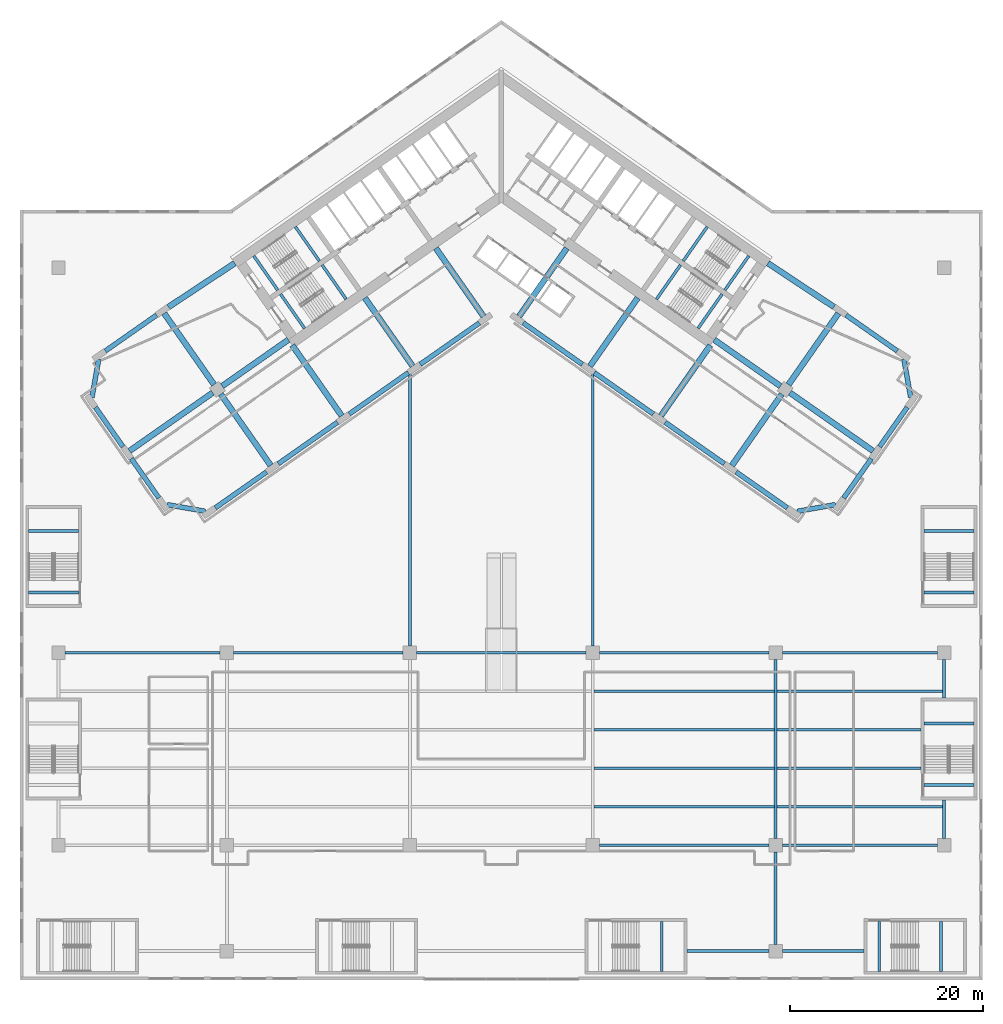
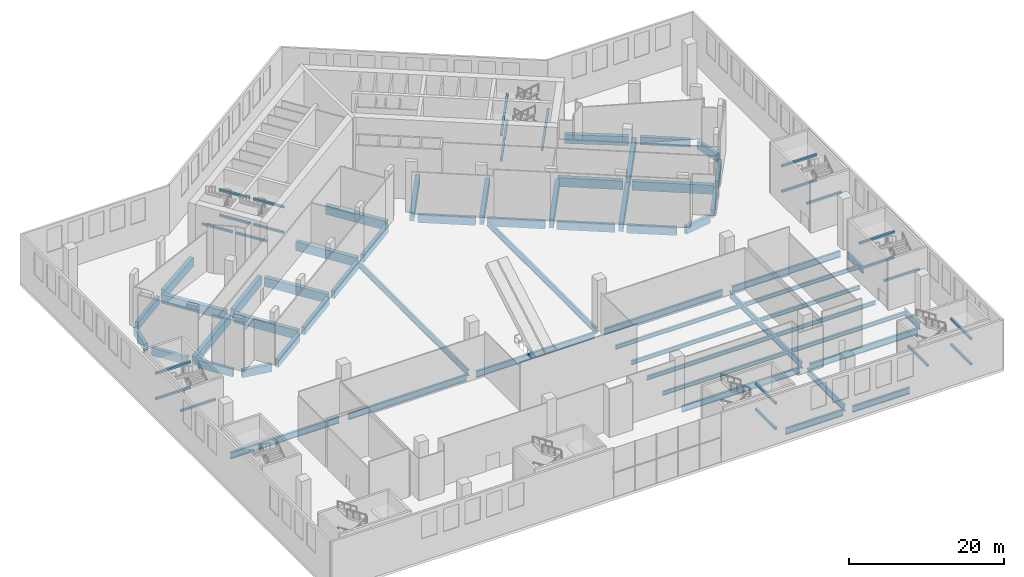
# One storey, part 3 of 27: 83 beams.
"""IFC4 building model written with IfcOpenShell, lengths in metres."""

from ifc_helpers import new_model, si_unit, direction, frame, origin, origin_2d, place, context, subcontext, project, spatial, rectangle, i_section, extrude, material, material_profile, profile_set, type_object, element, save


model = new_model("IFC4")

# Units and contexts
model_context = context("Model", 3, precision=1e-05, world=origin(), true_north=direction((0.0, 1.0)))
body_context = subcontext(model_context, "Body", "Model", "MODEL_VIEW")
ifc_project = project(units=[si_unit("LENGTHUNIT", "METRE"), si_unit("AREAUNIT", "SQUARE_METRE"), si_unit("VOLUMEUNIT", "CUBIC_METRE"), si_unit("PLANEANGLEUNIT", "RADIAN"), si_unit("MASSUNIT", "GRAM", prefix="KILO")], contexts=[model_context])

# Site, building, storey
site_placement = place(None, origin())
site = spatial("IfcSite", under=ifc_project, at=site_placement, CompositionType="ELEMENT")
building_placement = place(site_placement, origin())
building = spatial("IfcBuilding", under=site, at=building_placement, Name="Tel Ilan Convention Tower", CompositionType="ELEMENT")
storey_placement = place(building_placement, frame((0.0, 0.0, 18.0)))
storey = spatial("IfcBuildingStorey", under=building, at=storey_placement, Name="L02", CompositionType="ELEMENT", Elevation=18.0)

# Beams
ifc_material_1 = material(Name="Concrete C40/50", Category="concrete")
ifc_material_profile_1 = material_profile(ifc_material_1, rectangle(XDim=0.5, YDim=1.199951171875, at=origin_2d()), Name="RC 500x1200")
ifc_profile_set_1 = profile_set([ifc_material_profile_1], Name="Concrete C40/50")
beam_type_1 = type_object("IfcBeamType", Name="Beam RC 500x1200 Concrete C40/50", PredefinedType="BEAM", material=ifc_profile_set_1)
beam_1_placement = place(storey_placement, frame((-2.279541015625, -13.742919921875, -1.0), z_axis=(-0.819147803225, -0.57358249317, 0.0), x_axis=(0.57358249317, -0.819147803225, 0.0)))
element("IfcBeam", 1, at=beam_1_placement, inside=storey, type_object=beam_type_1, Name="L02 beam W-W-F1-W-F2", PredefinedType="BEAM", context=body_context, shape_type="SweptSolid", body=[
    extrude(rectangle(XDim=0.5, YDim=1.199951171875, at=origin_2d()), origin(), (0.0, 0.0, 1.0), 7.500244140625),
])
for number, where, z_axis, x_axis, name in (
    (2, (-9.652099609375, -18.905029296875, -1.0), (-0.81915238829, -0.573575945067, 0.0), (0.573575945067, -0.81915238829, 0.0), "L02 beam W-W-F2-W-F3"),
    (3, (-17.0244140625, -24.0673828125, -1.0), (-0.81915238829, -0.573575945067, 0.0), (0.573575945067, -0.81915238829, 0.0), "L02 beam W-W-F3-W-F4"),
):
    element("IfcBeam", number, at=place(storey_placement, frame(where, z_axis=z_axis, x_axis=x_axis)), inside=storey, type_object=beam_type_1, Name=name, PredefinedType="BEAM", context=body_context, shape_type="SweptSolid", body=[
        extrude(rectangle(XDim=0.5, YDim=1.199951171875, at=origin_2d()), origin(), (0.0, 0.0, 1.0), 7.5),
    ])
beam_2_placement = place(storey_placement, frame((-24.396728515625, -29.2294921875, -1.0), z_axis=(-0.819148977158, -0.573580816643, 0.0), x_axis=(0.573580816643, -0.819148977158, 0.0)))
element("IfcBeam", 4, at=beam_2_placement, inside=storey, type_object=beam_type_1, Name="L02 beam W-W-F4-W-FC", PredefinedType="BEAM", context=body_context, shape_type="SweptSolid", body=[
    extrude(rectangle(XDim=0.5, YDim=1.199951171875, at=origin_2d()), origin(), (0.0, 0.0, 1.0), 6.5),
])
beam_3_placement = place(storey_placement, frame((-30.75341796875, -33.314208984375, -1.0), z_axis=(-0.984815252405, 0.173605641124, 0.0), x_axis=(-0.173605641124, -0.984815252405, 0.0)))
element("IfcBeam", 5, at=beam_3_placement, inside=storey, type_object=beam_type_1, Name="L02 beam W-W-FC-W-E1", PredefinedType="BEAM", context=body_context, shape_type="SweptSolid", body=[
    extrude(rectangle(XDim=0.5, YDim=1.199951171875, at=origin_2d()), origin(), (0.0, 0.0, 1.0), 4.030517578125),
])
for number, where, z_axis, x_axis, name in (
    (6, (-35.57080078125, -31.92626953125, -1.0), (-0.573586866468, 0.819144740944, 0.0), (-0.819144740944, -0.573586866468, 0.0), "L02 beam W-W-E1-W-E2"),
    (7, (-39.298828125, -26.601806640625, -1.0), (-0.573586866468, 0.819144740944, 0.0), (-0.819144740944, -0.573586866468, 0.0), "L02 beam W-W-E2-W-E3"),
):
    element("IfcBeam", number, at=place(storey_placement, frame(where, z_axis=z_axis, x_axis=x_axis)), inside=storey, type_object=beam_type_1, Name=name, PredefinedType="BEAM", context=body_context, shape_type="SweptSolid", body=[
        extrude(rectangle(XDim=0.5, YDim=1.199951171875, at=origin_2d()), origin(), (0.0, 0.0, 1.0), 5.0),
    ])
beam_4_placement = place(storey_placement, frame((-42.523193359375, -21.473876953125, -1.0), z_axis=(0.173605641124, 0.984815252405, 0.0), x_axis=(-0.984815252405, 0.173605641124, 0.0)))
element("IfcBeam", 8, at=beam_4_placement, inside=storey, type_object=beam_type_1, Name="L02 beam W-W-E3-W-BC", PredefinedType="BEAM", context=body_context, shape_type="SweptSolid", body=[
    extrude(rectangle(XDim=0.5, YDim=1.199951171875, at=origin_2d()), origin(), (0.0, 0.0, 1.0), 4.030517578125),
])
beam_5_placement = place(storey_placement, frame((-41.135498046875, -16.656494140625, -1.0), z_axis=(0.819178980414, 0.573537965655, 0.0), x_axis=(-0.573537965655, 0.819178980414, 0.0)))
element("IfcBeam", 9, at=beam_5_placement, inside=storey, type_object=beam_type_1, Name="L02 beam W-W-BC-W-B4", PredefinedType="BEAM", context=body_context, shape_type="SweptSolid", body=[
    extrude(rectangle(XDim=0.5, YDim=1.199951171875, at=origin_2d()), origin(), (0.0, 0.0, 1.0), 6.5),
])
beam_6_placement = place(storey_placement, frame((2.279541015625, -13.742919921875, -1.0), z_axis=(0.819147803225, -0.57358249317, 0.0), x_axis=(0.57358249317, 0.819147803225, 0.0)))
element("IfcBeam", 10, at=beam_6_placement, inside=storey, type_object=beam_type_1, Name="L02 beam E-E-F1-E-F2", PredefinedType="BEAM", context=body_context, shape_type="SweptSolid", body=[
    extrude(rectangle(XDim=0.5, YDim=1.199951171875, at=origin_2d()), origin(), (0.0, 0.0, 1.0), 7.500244140625),
])
for number, where, z_axis, x_axis, name in (
    (11, (9.652099609375, -18.905029296875, -1.0), (0.81915238829, -0.573575945067, 0.0), (0.573575945067, 0.81915238829, 0.0), "L02 beam E-E-F2-E-F3"),
    (12, (17.0244140625, -24.0673828125, -1.0), (0.81915238829, -0.573575945067, 0.0), (0.573575945067, 0.81915238829, 0.0), "L02 beam E-E-F3-E-F4"),
):
    element("IfcBeam", number, at=place(storey_placement, frame(where, z_axis=z_axis, x_axis=x_axis)), inside=storey, type_object=beam_type_1, Name=name, PredefinedType="BEAM", context=body_context, shape_type="SweptSolid", body=[
        extrude(rectangle(XDim=0.5, YDim=1.199951171875, at=origin_2d()), origin(), (0.0, 0.0, 1.0), 7.5),
    ])
beam_7_placement = place(storey_placement, frame((24.396728515625, -29.2294921875, -1.0), z_axis=(0.819148977158, -0.573580816643, 0.0), x_axis=(0.573580816643, 0.819148977158, 0.0)))
element("IfcBeam", 13, at=beam_7_placement, inside=storey, type_object=beam_type_1, Name="L02 beam E-E-F4-E-FC", PredefinedType="BEAM", context=body_context, shape_type="SweptSolid", body=[
    extrude(rectangle(XDim=0.5, YDim=1.199951171875, at=origin_2d()), origin(), (0.0, 0.0, 1.0), 6.5),
])
beam_8_placement = place(storey_placement, frame((30.75341796875, -33.314208984375, -1.0), z_axis=(0.984815252405, 0.173605641124, 0.0), x_axis=(-0.173605641124, 0.984815252405, 0.0)))
element("IfcBeam", 14, at=beam_8_placement, inside=storey, type_object=beam_type_1, Name="L02 beam E-E-FC-E-E1", PredefinedType="BEAM", context=body_context, shape_type="SweptSolid", body=[
    extrude(rectangle(XDim=0.5, YDim=1.199951171875, at=origin_2d()), origin(), (0.0, 0.0, 1.0), 4.030517578125),
])
for number, where, z_axis, x_axis, name in (
    (15, (35.57080078125, -31.92626953125, -1.0), (0.573586866468, 0.819144740944, 0.0), (-0.819144740944, 0.573586866468, 0.0), "L02 beam E-E-E1-E-E2"),
    (16, (39.298828125, -26.601806640625, -1.0), (0.573586866468, 0.819144740944, 0.0), (-0.819144740944, 0.573586866468, 0.0), "L02 beam E-E-E2-E-E3"),
):
    element("IfcBeam", number, at=place(storey_placement, frame(where, z_axis=z_axis, x_axis=x_axis)), inside=storey, type_object=beam_type_1, Name=name, PredefinedType="BEAM", context=body_context, shape_type="SweptSolid", body=[
        extrude(rectangle(XDim=0.5, YDim=1.199951171875, at=origin_2d()), origin(), (0.0, 0.0, 1.0), 5.0),
    ])
beam_9_placement = place(storey_placement, frame((42.523193359375, -21.473876953125, -1.0), z_axis=(-0.173605641124, 0.984815252405, 0.0), x_axis=(-0.984815252405, -0.173605641124, 0.0)))
element("IfcBeam", 17, at=beam_9_placement, inside=storey, type_object=beam_type_1, Name="L02 beam E-E-E3-E-BC", PredefinedType="BEAM", context=body_context, shape_type="SweptSolid", body=[
    extrude(rectangle(XDim=0.5, YDim=1.199951171875, at=origin_2d()), origin(), (0.0, 0.0, 1.0), 4.030517578125),
])
beam_10_placement = place(storey_placement, frame((41.135498046875, -16.656494140625, -1.0), z_axis=(-0.819178980414, 0.573537965655, 0.0), x_axis=(-0.573537965655, -0.819178980414, 0.0)))
element("IfcBeam", 18, at=beam_10_placement, inside=storey, type_object=beam_type_1, Name="L02 beam E-E-BC-E-B4", PredefinedType="BEAM", context=body_context, shape_type="SweptSolid", body=[
    extrude(rectangle(XDim=0.5, YDim=1.199951171875, at=origin_2d()), origin(), (0.0, 0.0, 1.0), 6.5),
])
ifc_material_2 = material(Name="Concrete C40/50", Category="concrete")
ifc_material_profile_2 = material_profile(ifc_material_2, rectangle(XDim=0.60009765625, YDim=1.39990234375, at=origin_2d()), Name="RC 600x1400")
ifc_profile_set_2 = profile_set([ifc_material_profile_2], Name="Concrete C40/50")
beam_type_2 = type_object("IfcBeamType", Name="Beam RC 600x1400 Concrete C40/50", PredefinedType="BEAM", material=ifc_profile_set_2)
beam_11_placement = place(storey_placement, frame((-34.570556640625, -12.08447265625, -1.10009765625), z_axis=(0.834273603487, 0.551350663847, 0.0), x_axis=(-0.551350663847, 0.834273603487, 0.0)))
element("IfcBeam", 19, at=beam_11_placement, inside=storey, type_object=beam_type_2, Name="L02 beam W-W-B4-core", PredefinedType="BEAM", context=body_context, shape_type="SweptSolid", body=[
    extrude(rectangle(XDim=0.60009765625, YDim=1.39990234375, at=origin_2d()), origin(), (0.0, 0.0, 1.0), 8.2529296875),
])
for number, where, z_axis, x_axis, name in (
    (20, (-1.83740234375, -13.06689453125, -1.10009765625), (-0.573574099654, 0.819153680457, 0.0), (-0.819153680457, -0.573574099654, 0.0), "L02 beam W-W-F1-core"),
    (21, (-9.209716796875, -18.229248046875, -1.10009765625), (-0.573574099654, 0.819153680457, 0.0), (-0.819153680457, -0.573574099654, 0.0), "L02 beam W-W-F2-core"),
):
    element("IfcBeam", number, at=place(storey_placement, frame(where, z_axis=z_axis, x_axis=x_axis)), inside=storey, type_object=beam_type_2, Name=name, PredefinedType="BEAM", context=body_context, shape_type="SweptSolid", body=[
        extrude(rectangle(XDim=0.60009765625, YDim=1.39990234375, at=origin_2d()), origin(), (0.0, 0.0, 1.0), 8.64990234375),
    ])
beam_12_placement = place(storey_placement, frame((-16.58203125, -23.391357421875, -1.10009765625), z_axis=(-0.573584999642, 0.819146048141, 0.0), x_axis=(-0.819146048141, -0.573584999642, 0.0)))
element("IfcBeam", 22, at=beam_12_placement, inside=storey, type_object=beam_type_2, Name="L02 beam W-W-F3-core", PredefinedType="BEAM", context=body_context, shape_type="SweptSolid", body=[
    extrude(rectangle(XDim=0.60009765625, YDim=1.39990234375, at=origin_2d()), origin(), (0.0, 0.0, 1.0), 8.949951171875),
])
beam_13_placement = place(storey_placement, frame((-22.1171875, -15.486572265625, -1.10009765625), z_axis=(-0.819147254605, -0.573583276668, 0.0), x_axis=(0.573583276668, -0.819147254605, 0.0)))
element("IfcBeam", 23, at=beam_13_placement, inside=storey, type_object=beam_type_2, Name="L02 beam W-core-W-M4", PredefinedType="BEAM", context=body_context, shape_type="SweptSolid", body=[
    extrude(rectangle(XDim=0.60009765625, YDim=1.39990234375, at=origin_2d()), origin(), (0.0, 0.0, 1.0), 8.400146484375),
])
beam_14_placement = place(storey_placement, frame((-29.98095703125, -20.992919921875, -1.10009765625), z_axis=(-0.819151461915, -0.573577268067, 0.0), x_axis=(0.573577268067, -0.819151461915, 0.0)))
element("IfcBeam", 24, at=beam_14_placement, inside=storey, type_object=beam_type_2, Name="L02 beam W-W-M4-end", PredefinedType="BEAM", context=body_context, shape_type="SweptSolid", body=[
    extrude(rectangle(XDim=0.60009765625, YDim=1.39990234375, at=origin_2d()), origin(), (0.0, 0.0, 1.0), 10.550048828125),
])
for number, where, z_axis, x_axis, name in (
    (25, (-29.145263671875, -21.14013671875, -1.10009765625), (0.573549245583, -0.819171082798, 0.0), (0.819171082798, 0.573549245583, 0.0), "L02 beam W-W-M4-W-F4"),
    (26, (-29.83349609375, -20.1572265625, -1.10009765625), (-0.57358002233, 0.819149533348, 0.0), (-0.819149533348, -0.57358002233, 0.0), "L02 beam W-W-M4-W-B4"),
):
    element("IfcBeam", number, at=place(storey_placement, frame(where, z_axis=z_axis, x_axis=x_axis)), inside=storey, type_object=beam_type_2, Name=name, PredefinedType="BEAM", context=body_context, shape_type="SweptSolid", body=[
        extrude(rectangle(XDim=0.60009765625, YDim=1.39990234375, at=origin_2d()), origin(), (0.0, 0.0, 1.0), 9.050048828125),
    ])
beam_15_placement = place(storey_placement, frame((34.570556640625, -12.08447265625, -1.10009765625), z_axis=(-0.834273603487, 0.551350663847, 0.0), x_axis=(-0.551350663847, -0.834273603487, 0.0)))
element("IfcBeam", 27, at=beam_15_placement, inside=storey, type_object=beam_type_2, Name="L02 beam E-E-B4-core", PredefinedType="BEAM", context=body_context, shape_type="SweptSolid", body=[
    extrude(rectangle(XDim=0.60009765625, YDim=1.39990234375, at=origin_2d()), origin(), (0.0, 0.0, 1.0), 8.2529296875),
])
for number, where, z_axis, x_axis, name in (
    (28, (1.83740234375, -13.06689453125, -1.10009765625), (0.573574099654, 0.819153680457, 0.0), (-0.819153680457, 0.573574099654, 0.0), "L02 beam E-E-F1-core"),
    (29, (9.209716796875, -18.229248046875, -1.10009765625), (0.573574099654, 0.819153680457, 0.0), (-0.819153680457, 0.573574099654, 0.0), "L02 beam E-E-F2-core"),
):
    element("IfcBeam", number, at=place(storey_placement, frame(where, z_axis=z_axis, x_axis=x_axis)), inside=storey, type_object=beam_type_2, Name=name, PredefinedType="BEAM", context=body_context, shape_type="SweptSolid", body=[
        extrude(rectangle(XDim=0.60009765625, YDim=1.39990234375, at=origin_2d()), origin(), (0.0, 0.0, 1.0), 8.64990234375),
    ])
beam_16_placement = place(storey_placement, frame((16.58203125, -23.391357421875, -1.10009765625), z_axis=(0.573584999642, 0.819146048141, 0.0), x_axis=(-0.819146048141, 0.573584999642, 0.0)))
element("IfcBeam", 30, at=beam_16_placement, inside=storey, type_object=beam_type_2, Name="L02 beam E-E-F3-core", PredefinedType="BEAM", context=body_context, shape_type="SweptSolid", body=[
    extrude(rectangle(XDim=0.60009765625, YDim=1.39990234375, at=origin_2d()), origin(), (0.0, 0.0, 1.0), 8.949951171875),
])
beam_17_placement = place(storey_placement, frame((22.1171875, -15.486572265625, -1.10009765625), z_axis=(0.819147254605, -0.573583276668, 0.0), x_axis=(0.573583276668, 0.819147254605, 0.0)))
element("IfcBeam", 31, at=beam_17_placement, inside=storey, type_object=beam_type_2, Name="L02 beam E-core-E-M4", PredefinedType="BEAM", context=body_context, shape_type="SweptSolid", body=[
    extrude(rectangle(XDim=0.60009765625, YDim=1.39990234375, at=origin_2d()), origin(), (0.0, 0.0, 1.0), 8.400146484375),
])
beam_18_placement = place(storey_placement, frame((29.98095703125, -20.992919921875, -1.10009765625), z_axis=(0.819151461915, -0.573577268067, 0.0), x_axis=(0.573577268067, 0.819151461915, 0.0)))
element("IfcBeam", 32, at=beam_18_placement, inside=storey, type_object=beam_type_2, Name="L02 beam E-E-M4-end", PredefinedType="BEAM", context=body_context, shape_type="SweptSolid", body=[
    extrude(rectangle(XDim=0.60009765625, YDim=1.39990234375, at=origin_2d()), origin(), (0.0, 0.0, 1.0), 10.550048828125),
])
for number, where, z_axis, x_axis, name in (
    (33, (29.145263671875, -21.14013671875, -1.10009765625), (-0.573549245583, -0.819171082798, 0.0), (0.819171082798, -0.573549245583, 0.0), "L02 beam E-E-M4-E-F4"),
    (34, (29.83349609375, -20.1572265625, -1.10009765625), (0.57358002233, 0.819149533348, 0.0), (-0.819149533348, 0.57358002233, 0.0), "L02 beam E-E-M4-E-B4"),
):
    element("IfcBeam", number, at=place(storey_placement, frame(where, z_axis=z_axis, x_axis=x_axis)), inside=storey, type_object=beam_type_2, Name=name, PredefinedType="BEAM", context=body_context, shape_type="SweptSolid", body=[
        extrude(rectangle(XDim=0.60009765625, YDim=1.39990234375, at=origin_2d()), origin(), (0.0, 0.0, 1.0), 9.050048828125),
    ])
ifc_material_3 = material(Name="Steel S355", Category="steel")
ifc_material_profile_3 = material_profile(ifc_material_3, i_section(OverallWidth=0.300048828125, OverallDepth=1.0, WebThickness=0.01904296875, FlangeThickness=0.035888671875, FilletRadius=0.030029296875, at=origin_2d()), Name="HEB 1000")
ifc_profile_set_3 = profile_set([ifc_material_profile_3], Name="Steel S355")
beam_type_3 = type_object("IfcBeamType", Name="Girder HEB 1000 Steel S355", PredefinedType="BEAM", material=ifc_profile_set_3)
beam_19_placement = place(storey_placement, frame((10.199951171875, -68.0, -0.89990234375), z_axis=(1.0, 0.0, 0.0), x_axis=(0.0, 1.0, 0.0)))
element("IfcBeam", 35, at=beam_19_placement, inside=storey, type_object=beam_type_3, Name="L02 beam GX24-5", PredefinedType="BEAM", context=body_context, shape_type="SweptSolid", body=[
    extrude(i_section(OverallWidth=0.300048828125, OverallDepth=1.0, WebThickness=0.01904296875, FlangeThickness=0.035888671875, FilletRadius=0.030029296875, at=origin_2d()), origin(), (0.0, 0.0, 1.0), 17.60009765625),
])
for number, where, z_axis, x_axis, name in (
    (36, (29.199951171875, -68.0, -0.89990234375), (1.0, 0.0, 0.0), (0.0, 1.0, 0.0), "L02 beam GX25-6"),
    (37, (-45.300048828125, -48.0, -0.89990234375), (1.0, 0.0, 0.0), (0.0, 1.0, 0.0), "L02 beam GX31-2"),
):
    element("IfcBeam", number, at=place(storey_placement, frame(where, z_axis=z_axis, x_axis=x_axis)), inside=storey, type_object=beam_type_3, Name=name, PredefinedType="BEAM", context=body_context, shape_type="SweptSolid", body=[
        extrude(i_section(OverallWidth=0.300048828125, OverallDepth=1.0, WebThickness=0.01904296875, FlangeThickness=0.035888671875, FilletRadius=0.030029296875, at=origin_2d()), origin(), (0.0, 0.0, 1.0), 16.10009765625),
    ])
for number, where, z_axis, x_axis, name in (
    (38, (-27.800048828125, -48.0, -0.89990234375), (1.0, 0.0, 0.0), (0.0, 1.0, 0.0), "L02 beam GX32-3"),
    (39, (-8.800048828125, -48.0, -0.89990234375), (1.0, 0.0, 0.0), (0.0, 1.0, 0.0), "L02 beam GX33-4"),
    (40, (10.199951171875, -48.0, -0.89990234375), (1.0, 0.0, 0.0), (0.0, 1.0, 0.0), "L02 beam GX34-5"),
):
    element("IfcBeam", number, at=place(storey_placement, frame(where, z_axis=z_axis, x_axis=x_axis)), inside=storey, type_object=beam_type_3, Name=name, PredefinedType="BEAM", context=body_context, shape_type="SweptSolid", body=[
        extrude(i_section(OverallWidth=0.300048828125, OverallDepth=1.0, WebThickness=0.01904296875, FlangeThickness=0.035888671875, FilletRadius=0.030029296875, at=origin_2d()), origin(), (0.0, 0.0, 1.0), 17.60009765625),
    ])
beam_20_placement = place(storey_placement, frame((29.199951171875, -48.0, -0.89990234375), z_axis=(1.0, 0.0, 0.0), x_axis=(0.0, 1.0, 0.0)))
element("IfcBeam", 41, at=beam_20_placement, inside=storey, type_object=beam_type_3, Name="L02 beam GX35-6", PredefinedType="BEAM", context=body_context, shape_type="SweptSolid", body=[
    extrude(i_section(OverallWidth=0.300048828125, OverallDepth=1.0, WebThickness=0.01904296875, FlangeThickness=0.035888671875, FilletRadius=0.030029296875, at=origin_2d()), origin(), (0.0, 0.0, 1.0), 16.10009765625),
])
beam_21_placement = place(storey_placement, frame((28.5, -78.300048828125, -0.89990234375), z_axis=(0.0, 1.0, 0.0), x_axis=(-1.0, 0.0, 0.0)))
element("IfcBeam", 42, at=beam_21_placement, inside=storey, type_object=beam_type_3, Name="L02 beam GY51-2", PredefinedType="BEAM", context=body_context, shape_type="SweptSolid", body=[
    extrude(i_section(OverallWidth=0.300048828125, OverallDepth=1.0, WebThickness=0.01904296875, FlangeThickness=0.035888671875, FilletRadius=0.030029296875, at=origin_2d()), origin(), (0.0, 0.0, 1.0), 9.60009765625),
])
beam_22_placement = place(storey_placement, frame((28.5, -67.300048828125, -0.89990234375), z_axis=(0.0, 1.0, 0.0), x_axis=(-1.0, 0.0, 0.0)))
element("IfcBeam", 43, at=beam_22_placement, inside=storey, type_object=beam_type_3, Name="L02 beam GY52-3", PredefinedType="BEAM", context=body_context, shape_type="SweptSolid", body=[
    extrude(i_section(OverallWidth=0.300048828125, OverallDepth=1.0, WebThickness=0.01904296875, FlangeThickness=0.035888671875, FilletRadius=0.030029296875, at=origin_2d()), origin(), (0.0, 0.0, 1.0), 18.60009765625),
])
for number, where, z_axis, x_axis, name in (
    (44, (46.0, -67.300048828125, -0.89990234375), (0.0, 1.0, 0.0), (-1.0, 0.0, 0.0), "L02 beam GY62-3"),
    (45, (46.0, -52.699951171875, -0.89990234375), (0.0, 1.0, 0.0), (-1.0, 0.0, 0.0), "L02 beam GY62-3"),
):
    element("IfcBeam", number, at=place(storey_placement, frame(where, z_axis=z_axis, x_axis=x_axis)), inside=storey, type_object=beam_type_3, Name=name, PredefinedType="BEAM", context=body_context, shape_type="SweptSolid", body=[
        extrude(i_section(OverallWidth=0.300048828125, OverallDepth=1.0, WebThickness=0.01904296875, FlangeThickness=0.035888671875, FilletRadius=0.030029296875, at=origin_2d()), origin(), (0.0, 0.0, 1.0), 4.0),
    ])
for number, where, z_axis, x_axis, name in (
    (46, (19.300048828125, -79.0, -0.89990234375), (1.0, 0.0, 0.0), (0.0, 1.0, 0.0), "L02 beam GS22"),
    (47, (29.199951171875, -79.0, -0.89990234375), (1.0, 0.0, 0.0), (0.0, 1.0, 0.0), "L02 beam GS23"),
):
    element("IfcBeam", number, at=place(storey_placement, frame(where, z_axis=z_axis, x_axis=x_axis)), inside=storey, type_object=beam_type_3, Name=name, PredefinedType="BEAM", context=body_context, shape_type="SweptSolid", body=[
        extrude(i_section(OverallWidth=0.300048828125, OverallDepth=1.0, WebThickness=0.01904296875, FlangeThickness=0.035888671875, FilletRadius=0.030029296875, at=origin_2d()), origin(), (0.0, 0.0, 1.0), 8.5),
    ])
for number, where, z_axis, x_axis, name in (
    (48, (-9.5, -47.300048828125, -0.89990234375), (0.0, 1.0, 0.0), (-1.0, 0.0, 0.0), "L02 beam GN1"),
    (49, (9.5, -47.300048828125, -0.89990234375), (0.0, 1.0, 0.0), (-1.0, 0.0, 0.0), "L02 beam GN2"),
):
    element("IfcBeam", number, at=place(storey_placement, frame(where, z_axis=z_axis, x_axis=x_axis)), inside=storey, type_object=beam_type_3, Name=name, PredefinedType="BEAM", context=body_context, shape_type="SweptSolid", body=[
        extrude(i_section(OverallWidth=0.300048828125, OverallDepth=1.0, WebThickness=0.01904296875, FlangeThickness=0.035888671875, FilletRadius=0.030029296875, at=origin_2d()), origin(), (0.0, 0.0, 1.0), 28.177734375),
    ])
ifc_material_4 = material(Name="Steel S355", Category="steel")
ifc_material_profile_4 = material_profile(ifc_material_4, i_section(OverallWidth=0.300048828125, OverallDepth=0.60009765625, WebThickness=0.015380859375, FlangeThickness=0.030029296875, FilletRadius=0.027099609375, at=origin_2d()), Name="HEB 600")
ifc_profile_set_4 = profile_set([ifc_material_profile_4], Name="Steel S355")
beam_type_4 = type_object("IfcBeamType", Name="Joist HEB 600 Steel S355", PredefinedType="JOIST", material=ifc_profile_set_4)
for number, where, z_axis, x_axis, name in (
    (50, (9.639892578125, -64.0, -0.699951171875), (1.0, 0.0, 0.0), (0.0, 1.0, 0.0), "L02 beam J4--68-1"),
    (51, (9.639892578125, -60.0, -0.699951171875), (1.0, 0.0, 0.0), (0.0, 1.0, 0.0), "L02 beam J4--68-2"),
    (52, (9.639892578125, -56.0, -0.699951171875), (1.0, 0.0, 0.0), (0.0, 1.0, 0.0), "L02 beam J4--68-3"),
    (53, (9.639892578125, -52.0, -0.699951171875), (1.0, 0.0, 0.0), (0.0, 1.0, 0.0), "L02 beam J4--68-4"),
):
    element("IfcBeam", number, at=place(storey_placement, frame(where, z_axis=z_axis, x_axis=x_axis)), inside=storey, type_object=beam_type_4, Name=name, PredefinedType="JOIST", context=body_context, shape_type="SweptSolid", body=[
        extrude(i_section(OverallWidth=0.300048828125, OverallDepth=0.60009765625, WebThickness=0.015380859375, FlangeThickness=0.030029296875, FilletRadius=0.027099609375, at=origin_2d()), origin(), (0.0, 0.0, 1.0), 18.72021484375),
    ])
beam_23_placement = place(storey_placement, frame((28.639892578125, -64.0, -0.699951171875), z_axis=(1.0, 0.0, 0.0), x_axis=(0.0, 1.0, 0.0)))
element("IfcBeam", 54, at=beam_23_placement, inside=storey, type_object=beam_type_4, Name="L02 beam J5--68-1", PredefinedType="JOIST", context=body_context, shape_type="SweptSolid", body=[
    extrude(i_section(OverallWidth=0.300048828125, OverallDepth=0.60009765625, WebThickness=0.015380859375, FlangeThickness=0.030029296875, FilletRadius=0.027099609375, at=origin_2d()), origin(), (0.0, 0.0, 1.0), 17.22021484375),
])
for number, where, z_axis, x_axis, name in (
    (55, (28.639892578125, -60.0, -0.699951171875), (1.0, 0.0, 0.0), (0.0, 1.0, 0.0), "L02 beam J5--68-2"),
    (56, (28.639892578125, -56.0, -0.699951171875), (1.0, 0.0, 0.0), (0.0, 1.0, 0.0), "L02 beam J5--68-3"),
):
    element("IfcBeam", number, at=place(storey_placement, frame(where, z_axis=z_axis, x_axis=x_axis)), inside=storey, type_object=beam_type_4, Name=name, PredefinedType="JOIST", context=body_context, shape_type="SweptSolid", body=[
        extrude(i_section(OverallWidth=0.300048828125, OverallDepth=0.60009765625, WebThickness=0.015380859375, FlangeThickness=0.030029296875, FilletRadius=0.027099609375, at=origin_2d()), origin(), (0.0, 0.0, 1.0), 14.960205078125),
    ])
beam_24_placement = place(storey_placement, frame((28.639892578125, -52.0, -0.699951171875), z_axis=(1.0, 0.0, 0.0), x_axis=(0.0, 1.0, 0.0)))
element("IfcBeam", 57, at=beam_24_placement, inside=storey, type_object=beam_type_4, Name="L02 beam J5--68-4", PredefinedType="JOIST", context=body_context, shape_type="SweptSolid", body=[
    extrude(i_section(OverallWidth=0.300048828125, OverallDepth=0.60009765625, WebThickness=0.015380859375, FlangeThickness=0.030029296875, FilletRadius=0.027099609375, at=origin_2d()), origin(), (0.0, 0.0, 1.0), 17.22021484375),
])
ifc_material_5 = material(Name="Concrete C40/50", Category="concrete")
ifc_material_profile_5 = material_profile(ifc_material_5, rectangle(XDim=0.300048828125, YDim=0.300048828125, at=origin_2d()), Name="RC 300x300")
ifc_profile_set_5 = profile_set([ifc_material_profile_5], Name="Concrete C40/50")
beam_type_5 = type_object("IfcBeamType", Name="Landing Beam RC 300x300 Concrete C40/50", PredefinedType="BEAM", material=ifc_profile_set_5)
beam_25_placement = place(storey_placement, frame((-18.89892578125, -7.3125, 1.64990234375), z_axis=(-0.57356780395, 0.819158088694, 0.0), x_axis=(-0.819158088694, -0.57356780395, 0.0)))
element("IfcBeam", 58, at=beam_25_placement, inside=storey, type_object=beam_type_5, Name="S1 landing beam L02.1", PredefinedType="BEAM", context=body_context, shape_type="SweptSolid", body=[
    extrude(rectangle(XDim=0.300048828125, YDim=0.300048828125, at=origin_2d()), origin(), (0.0, 0.0, 1.0), 4.35009765625),
])
beam_26_placement = place(storey_placement, frame((-23.219482421875, -10.337646484375, 3.64990234375), z_axis=(-0.573556512523, 0.819165994742, 0.0), x_axis=(-0.819165994742, -0.573556512523, 0.0)))
element("IfcBeam", 59, at=beam_26_placement, inside=storey, type_object=beam_type_5, Name="S1 landing beam L02.2", PredefinedType="BEAM", context=body_context, shape_type="SweptSolid", body=[
    extrude(rectangle(XDim=0.300048828125, YDim=0.300048828125, at=origin_2d()), origin(), (0.0, 0.0, 1.0), 4.349853515625),
])
for number, where, z_axis, x_axis, name in (
    (60, (-18.89892578125, -7.3125, 5.64990234375), (-0.57356780395, 0.819158088694, 0.0), (-0.819158088694, -0.57356780395, 0.0), "S1 landing beam L02.3"),
    (61, (-16.1171875, -11.285400390625, 1.64990234375), (-0.57356780395, 0.819158088694, 0.0), (-0.819158088694, -0.57356780395, 0.0), "S2 landing beam L02.1"),
):
    element("IfcBeam", number, at=place(storey_placement, frame(where, z_axis=z_axis, x_axis=x_axis)), inside=storey, type_object=beam_type_5, Name=name, PredefinedType="BEAM", context=body_context, shape_type="SweptSolid", body=[
        extrude(rectangle(XDim=0.300048828125, YDim=0.300048828125, at=origin_2d()), origin(), (0.0, 0.0, 1.0), 4.35009765625),
    ])
beam_27_placement = place(storey_placement, frame((-20.4375, -14.310546875, 3.64990234375), z_axis=(-0.573594173421, 0.819139624372, 0.0), x_axis=(-0.819139624372, -0.573594173421, 0.0)))
element("IfcBeam", 62, at=beam_27_placement, inside=storey, type_object=beam_type_5, Name="S2 landing beam L02.2", PredefinedType="BEAM", context=body_context, shape_type="SweptSolid", body=[
    extrude(rectangle(XDim=0.300048828125, YDim=0.300048828125, at=origin_2d()), origin(), (0.0, 0.0, 1.0), 4.349853515625),
])
for number, where, z_axis, x_axis, name in (
    (63, (-16.1171875, -11.285400390625, 5.64990234375), (-0.57356780395, 0.819158088694, 0.0), (-0.819158088694, -0.57356780395, 0.0), "S2 landing beam L02.3"),
    (64, (21.39404296875, -3.7490234375, 1.64990234375), (-0.57356780395, -0.819158088694, 0.0), (0.819158088694, -0.57356780395, 0.0), "S3 landing beam L02.1"),
):
    element("IfcBeam", number, at=place(storey_placement, frame(where, z_axis=z_axis, x_axis=x_axis)), inside=storey, type_object=beam_type_5, Name=name, PredefinedType="BEAM", context=body_context, shape_type="SweptSolid", body=[
        extrude(rectangle(XDim=0.300048828125, YDim=0.300048828125, at=origin_2d()), origin(), (0.0, 0.0, 1.0), 4.35009765625),
    ])
beam_28_placement = place(storey_placement, frame((25.71435546875, -6.7744140625, 3.64990234375), z_axis=(-0.573556512523, -0.819165994742, 0.0), x_axis=(0.819165994742, -0.573556512523, 0.0)))
element("IfcBeam", 65, at=beam_28_placement, inside=storey, type_object=beam_type_5, Name="S3 landing beam L02.2", PredefinedType="BEAM", context=body_context, shape_type="SweptSolid", body=[
    extrude(rectangle(XDim=0.300048828125, YDim=0.300048828125, at=origin_2d()), origin(), (0.0, 0.0, 1.0), 4.349853515625),
])
for number, where, z_axis, x_axis, name in (
    (66, (21.39404296875, -3.7490234375, 5.64990234375), (-0.57356780395, -0.819158088694, 0.0), (0.819158088694, -0.57356780395, 0.0), "S3 landing beam L02.3"),
    (67, (18.6123046875, -7.721923828125, 1.64990234375), (-0.57356780395, -0.819158088694, 0.0), (0.819158088694, -0.57356780395, 0.0), "S4 landing beam L02.1"),
):
    element("IfcBeam", number, at=place(storey_placement, frame(where, z_axis=z_axis, x_axis=x_axis)), inside=storey, type_object=beam_type_5, Name=name, PredefinedType="BEAM", context=body_context, shape_type="SweptSolid", body=[
        extrude(rectangle(XDim=0.300048828125, YDim=0.300048828125, at=origin_2d()), origin(), (0.0, 0.0, 1.0), 4.35009765625),
    ])
beam_29_placement = place(storey_placement, frame((22.9326171875, -10.747314453125, 3.64990234375), z_axis=(-0.573594173421, -0.819139624372, 0.0), x_axis=(0.819139624372, -0.573594173421, 0.0)))
element("IfcBeam", 68, at=beam_29_placement, inside=storey, type_object=beam_type_5, Name="S4 landing beam L02.2", PredefinedType="BEAM", context=body_context, shape_type="SweptSolid", body=[
    extrude(rectangle(XDim=0.300048828125, YDim=0.300048828125, at=origin_2d()), origin(), (0.0, 0.0, 1.0), 4.349853515625),
])
beam_30_placement = place(storey_placement, frame((18.6123046875, -7.721923828125, 5.64990234375), z_axis=(-0.57356780395, -0.819158088694, 0.0), x_axis=(0.819158088694, -0.57356780395, 0.0)))
element("IfcBeam", 69, at=beam_30_placement, inside=storey, type_object=beam_type_5, Name="S4 landing beam L02.3", PredefinedType="BEAM", context=body_context, shape_type="SweptSolid", body=[
    extrude(rectangle(XDim=0.300048828125, YDim=0.300048828125, at=origin_2d()), origin(), (0.0, 0.0, 1.0), 4.35009765625),
])
for number, where, z_axis, x_axis, name in (
    (70, (16.662109375, -81.10009765625, 1.64990234375), (0.0, 1.0, 0.0), (-1.0, 0.0, 0.0), "P3 landing beam L02.1"),
    (71, (16.662109375, -81.10009765625, 5.64990234375), (0.0, 1.0, 0.0), (-1.0, 0.0, 0.0), "P3 landing beam L02.3"),
    (72, (45.662109375, -81.10009765625, 1.64990234375), (0.0, 1.0, 0.0), (-1.0, 0.0, 0.0), "P4 landing beam L02.1"),
    (73, (39.262939453125, -81.10009765625, 3.64990234375), (0.0, 1.0, 0.0), (-1.0, 0.0, 0.0), "P4 landing beam L02.2"),
    (74, (45.662109375, -81.10009765625, 5.64990234375), (0.0, 1.0, 0.0), (-1.0, 0.0, 0.0), "P4 landing beam L02.3"),
    (75, (49.10009765625, -55.337890625, 1.64990234375), (-1.0, 0.0, 0.0), (0.0, -1.0, 0.0), "P6 landing beam L02.1"),
    (76, (49.10009765625, -61.737060546875, 3.64990234375), (-1.0, 0.0, 0.0), (0.0, -1.0, 0.0), "P6 landing beam L02.2"),
    (77, (49.10009765625, -55.337890625, 5.64990234375), (-1.0, 0.0, 0.0), (0.0, -1.0, 0.0), "P6 landing beam L02.3"),
    (78, (-43.89990234375, -35.337890625, 1.64990234375), (-1.0, 0.0, 0.0), (0.0, -1.0, 0.0), "P7 landing beam L02.1"),
    (79, (-43.89990234375, -41.737060546875, 3.64990234375), (-1.0, 0.0, 0.0), (0.0, -1.0, 0.0), "P7 landing beam L02.2"),
    (80, (-43.89990234375, -35.337890625, 5.64990234375), (-1.0, 0.0, 0.0), (0.0, -1.0, 0.0), "P7 landing beam L02.3"),
    (81, (49.10009765625, -35.337890625, 1.64990234375), (-1.0, 0.0, 0.0), (0.0, -1.0, 0.0), "P8 landing beam L02.1"),
    (82, (49.10009765625, -41.737060546875, 3.64990234375), (-1.0, 0.0, 0.0), (0.0, -1.0, 0.0), "P8 landing beam L02.2"),
    (83, (49.10009765625, -35.337890625, 5.64990234375), (-1.0, 0.0, 0.0), (0.0, -1.0, 0.0), "P8 landing beam L02.3"),
):
    element("IfcBeam", number, at=place(storey_placement, frame(where, z_axis=z_axis, x_axis=x_axis)), inside=storey, type_object=beam_type_5, Name=name, PredefinedType="BEAM", context=body_context, shape_type="SweptSolid", body=[
        extrude(rectangle(XDim=0.300048828125, YDim=0.300048828125, at=origin_2d()), origin(), (0.0, 0.0, 1.0), 5.2001953125),
    ])

save(model, "model.ifc")
